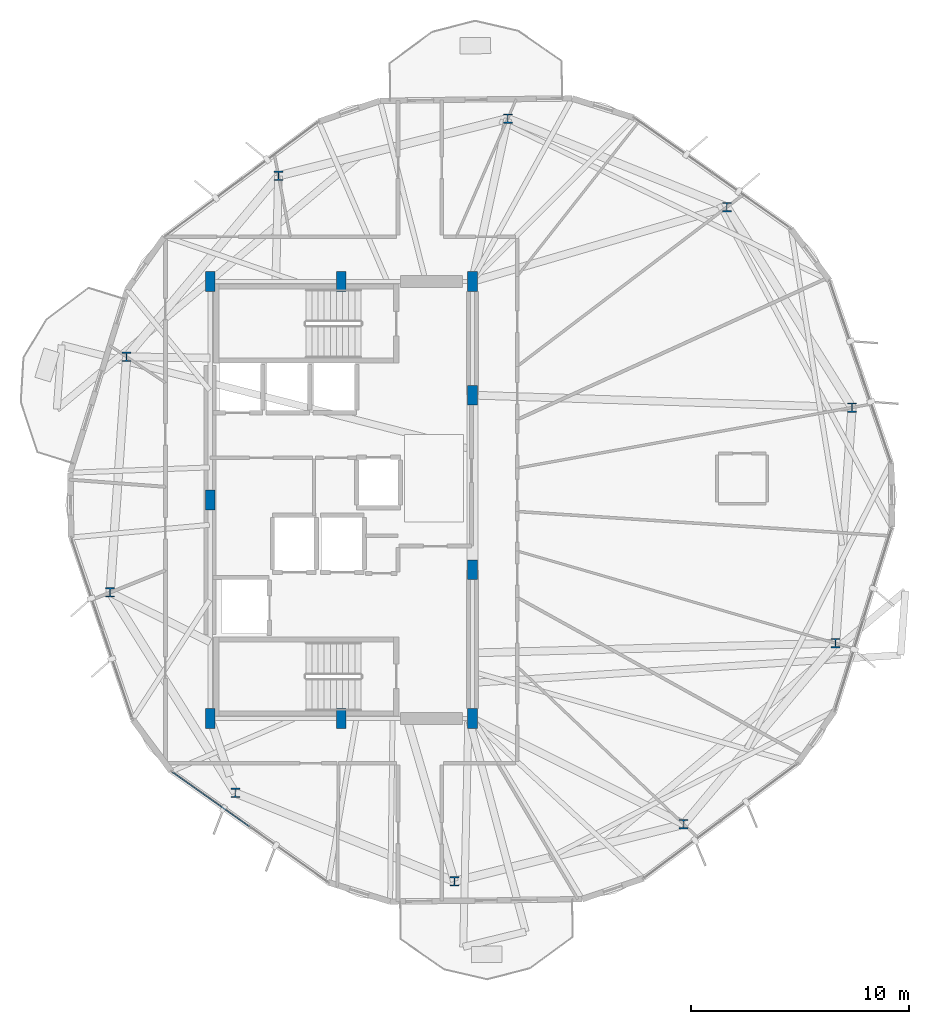
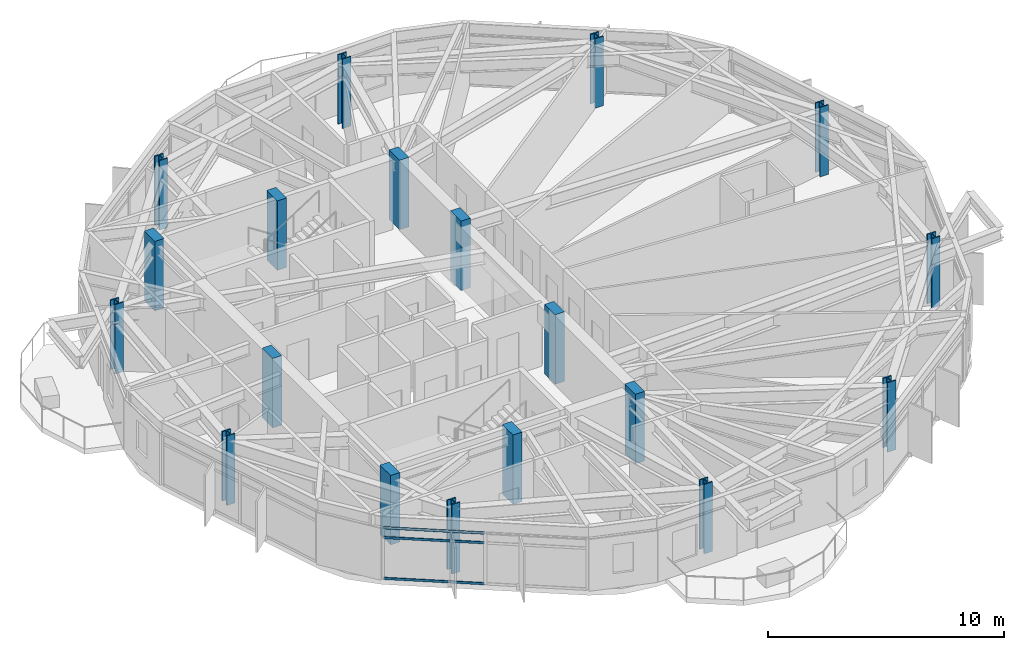
# One storey, part 1 of 27: 19 columns, 3 members, 1 element without a shape of its own.
"""IFC4 building model written with IfcOpenShell, lengths in metres."""

from ifc_helpers import new_model, si_unit, direction, frame, origin, origin_2d, place, context, subcontext, project, spatial, rectangle, hollow_rectangle, i_section, extrude, material, layer, layer_set, material_profile, profile_set, type_object, element, aggregate, save


model = new_model("IFC4")

# Units and contexts
model_context = context("Model", 3, precision=1e-05, world=origin(), true_north=direction((0.0, 1.0)))
body_context = subcontext(model_context, "Body", "Model", "MODEL_VIEW")
ifc_project = project(units=[si_unit("LENGTHUNIT", "METRE"), si_unit("AREAUNIT", "SQUARE_METRE"), si_unit("VOLUMEUNIT", "CUBIC_METRE"), si_unit("PLANEANGLEUNIT", "RADIAN"), si_unit("MASSUNIT", "GRAM", prefix="KILO")], contexts=[model_context])

# Site, building, storey
site_placement = place(None, origin())
site = spatial("IfcSite", under=ifc_project, at=site_placement, CompositionType="ELEMENT")
building_placement = place(site_placement, origin())
building = spatial("IfcBuilding", under=site, at=building_placement, Name="Soratama Intermodal Tower", CompositionType="ELEMENT")
storey_placement = place(building_placement, frame((0.0, 0.0, 167.800048828125)))
storey = spatial("IfcBuildingStorey", under=building, at=storey_placement, Name="L41", CompositionType="ELEMENT", Elevation=167.800048828125)

# Columns
ifc_material_1 = material(Name="Structural steel ASTM A992 Grade 50", Category="steel")
ifc_material_profile_1 = material_profile(ifc_material_1, i_section(OverallWidth=0.412109375, OverallDepth=0.43505859375, WebThickness=0.035888671875, FlangeThickness=0.057373046875, FilletRadius=0.0380859375, at=origin_2d()), Name="W14X311")
ifc_profile_set_1 = profile_set([ifc_material_profile_1], Name="Structural steel ASTM A992 Grade 50")
column_type_1 = type_object("IfcColumnType", Name="COL-ZC-W14X311", PredefinedType="COLUMN", material=ifc_profile_set_1)
for number, where, z_axis, x_axis, name in (
    (1, (61.980224609375, 29.233642578125, 0.0), (0.0, 0.0, 1.0), (1.0, 0.0, 0.0), "L41 Tower Ring Column R01"),
    (2, (56.248779296875, 38.40576171875, 0.0), (0.0, 0.0, 1.0), (1.0, 0.0, 0.0), "L41 Tower Ring Column R02"),
    (3, (46.220703125, 42.45751953125, 0.0), (0.0, 0.0, 1.0), (1.0, 0.0, 0.0), "L41 Tower Ring Column R03"),
    (4, (35.726318359375, 39.8408203125, 0.0), (0.0, 0.0, 1.0), (1.0, 0.0, 0.0), "L41 Tower Ring Column R04"),
    (5, (28.7744140625, 31.5556640625, 0.0), (0.0, 0.0, 1.0), (1.0, 0.0, 0.0), "L41 Tower Ring Column R05"),
    (6, (28.019775390625, 20.766357421875, 0.0), (0.0, 0.0, 1.0), (1.0, 0.0, 0.0), "L41 Tower Ring Column R06"),
    (7, (33.751220703125, 11.59423828125, 0.0), (0.0, 0.0, 1.0), (1.0, 0.0, 0.0), "L41 Tower Ring Column R07"),
    (8, (43.779296875, 7.54248046875, 0.0), (0.0, 0.0, 1.0), (1.0, 0.0, 0.0), "L41 Tower Ring Column R08"),
    (9, (54.273681640625, 10.1591796875, 0.0), (0.0, 0.0, 1.0), (1.0, 0.0, 0.0), "L41 Tower Ring Column R09"),
    (10, (61.2255859375, 18.4443359375, 0.0), (0.0, 0.0, 1.0), (1.0, 0.0, 0.0), "L41 Tower Ring Column R10"),
):
    element("IfcColumn", number, at=place(storey_placement, frame(where, z_axis=z_axis, x_axis=x_axis)), inside=storey, type_object=column_type_1, Name=name, PredefinedType="COLUMN", context=body_context, shape_type="SweptSolid", body=[
        extrude(i_section(OverallWidth=0.412109375, OverallDepth=0.43505859375, WebThickness=0.035888671875, FlangeThickness=0.057373046875, FilletRadius=0.0380859375, at=origin_2d()), origin(), (0.0, 0.0, 1.0), 3.599853515625),
    ])
ifc_material_2 = material(Name="Concrete f'c 56 MPa", Category="concrete")
ifc_material_profile_2 = material_profile(ifc_material_2, rectangle(XDim=0.449951171875, YDim=0.89990234375, at=origin_2d()), Name="RC450X900")
ifc_profile_set_2 = profile_set([ifc_material_profile_2], Name="Concrete f'c 56 MPa")
column_type_2 = type_object("IfcColumnType", Name="PIL-CORE-450X900", PredefinedType="PILASTER", material=ifc_profile_set_2)
for number, where, z_axis, x_axis, name in (
    (11, (32.60009765625, 15.0, 0.0), (0.0, 0.0, 1.0), (1.0, 0.0, 0.0), "L41 Core Pilaster 1"),
    (12, (32.60009765625, 25.0, 0.0), (0.0, 0.0, 1.0), (1.0, 0.0, 0.0), "L41 Core Pilaster 2"),
    (13, (32.60009765625, 35.0, 0.0), (0.0, 0.0, 1.0), (1.0, 0.0, 0.0), "L41 Core Pilaster 3"),
    (14, (38.60009765625, 15.0, 0.0), (0.0, 0.0, 1.0), (1.0, 0.0, 0.0), "L41 Core Pilaster 4"),
    (15, (38.60009765625, 35.0, 0.0), (0.0, 0.0, 1.0), (1.0, 0.0, 0.0), "L41 Core Pilaster 5"),
    (16, (44.60009765625, 15.0, 0.0), (0.0, 0.0, 1.0), (1.0, 0.0, 0.0), "L41 Core Pilaster 6"),
    (17, (44.60009765625, 21.800048828125, 0.0), (0.0, 0.0, 1.0), (1.0, 0.0, 0.0), "L41 Core Pilaster 7"),
    (18, (44.60009765625, 29.800048828125, 0.0), (0.0, 0.0, 1.0), (1.0, 0.0, 0.0), "L41 Core Pilaster 8"),
    (19, (44.60009765625, 35.0, 0.0), (0.0, 0.0, 1.0), (1.0, 0.0, 0.0), "L41 Core Pilaster 9"),
):
    element("IfcColumn", number, at=place(storey_placement, frame(where, z_axis=z_axis, x_axis=x_axis)), inside=storey, type_object=column_type_2, Name=name, PredefinedType="PILASTER", context=body_context, shape_type="SweptSolid", body=[
        extrude(rectangle(XDim=0.449951171875, YDim=0.89990234375, at=origin_2d()), origin(), (0.0, 0.0, 1.0), 3.599853515625),
    ])

# Curtain wall, members
ifc_material_3 = material(Name="Double-glazed aluminium curtain wall", Category="aluminium")
ifc_layer = layer(ifc_material_3, 0.159912109375)
ifc_layer_set = layer_set([ifc_layer], Name="Double-glazed aluminium curtain wall")
curtain_wall_type = type_object("IfcCurtainWallType", Name="CW-SYS-4", PredefinedType="NOTDEFINED", material=ifc_layer_set)
curtain_wall_placement = place(storey_placement, origin())
curtain_wall = element("IfcCurtainWall", 20, at=curtain_wall_placement, inside=storey, type_object=curtain_wall_type, Name="L41 Faceted Curtain Wall F06", PredefinedType="NOTDEFINED")
ifc_material_4 = material(Name="Anodised aluminium AA 6063-T6", Category="aluminium")
ifc_material_profile_3 = material_profile(ifc_material_4, hollow_rectangle(XDim=0.06005859375, YDim=0.1298828125, WallThickness=0.0048828125, InnerFilletRadius=0.0048828125, OuterFilletRadius=0.010009765625, at=origin_2d()), Name="CWT130X60X5")
ifc_profile_set_3 = profile_set([ifc_material_profile_3], Name="Anodised aluminium AA 6063-T6")
member_type = type_object("IfcMemberType", Name="TT-CWT-2", PredefinedType="USERDEFINED", material=ifc_profile_set_3)
member_1_placement = place(storey_placement, frame((30.8740234375, 12.54150390625, 0.030029296875), z_axis=(0.816360869685, -0.577542146035, 0.0), x_axis=(0.577542146035, 0.816360869685, 0.0)))
member_1 = element("IfcMember", 21, at=member_1_placement, type_object=member_type, Name="CW-4 transom 1.1", ObjectType="TRANSOM", PredefinedType="USERDEFINED", context=body_context, shape_type="SweptSolid", body=[
    extrude(hollow_rectangle(XDim=0.06005859375, YDim=0.1298828125, WallThickness=0.0048828125, InnerFilletRadius=0.0048828125, OuterFilletRadius=0.010009765625, at=origin_2d()), origin(), (0.0, 0.0, 1.0), 4.305908203125),
])
member_2_placement = place(storey_placement, frame((30.8740234375, 12.54150390625, 2.14990234375), z_axis=(0.816360869685, -0.577542146035, 0.0), x_axis=(0.577542146035, 0.816360869685, 0.0)))
member_2 = element("IfcMember", 22, at=member_2_placement, type_object=member_type, Name="CW-4 transom 1.2", ObjectType="TRANSOM", PredefinedType="USERDEFINED", context=body_context, shape_type="SweptSolid", body=[
    extrude(hollow_rectangle(XDim=0.06005859375, YDim=0.1298828125, WallThickness=0.0048828125, InnerFilletRadius=0.0048828125, OuterFilletRadius=0.010009765625, at=origin_2d()), origin(), (0.0, 0.0, 1.0), 4.305908203125),
])
member_3_placement = place(storey_placement, frame((30.8740234375, 12.54150390625, 2.64892578125), z_axis=(0.816360869685, -0.577542146035, 0.0), x_axis=(0.577542146035, 0.816360869685, 0.0)))
member_3 = element("IfcMember", 23, at=member_3_placement, type_object=member_type, Name="CW-4 transom 1.3", ObjectType="TRANSOM", PredefinedType="USERDEFINED", context=body_context, shape_type="SweptSolid", body=[
    extrude(hollow_rectangle(XDim=0.06005859375, YDim=0.1298828125, WallThickness=0.0048828125, InnerFilletRadius=0.0048828125, OuterFilletRadius=0.010009765625, at=origin_2d()), origin(), (0.0, 0.0, 1.0), 4.305908203125),
])
aggregate(curtain_wall, [member_1, member_2, member_3])

save(model, "model.ifc")
